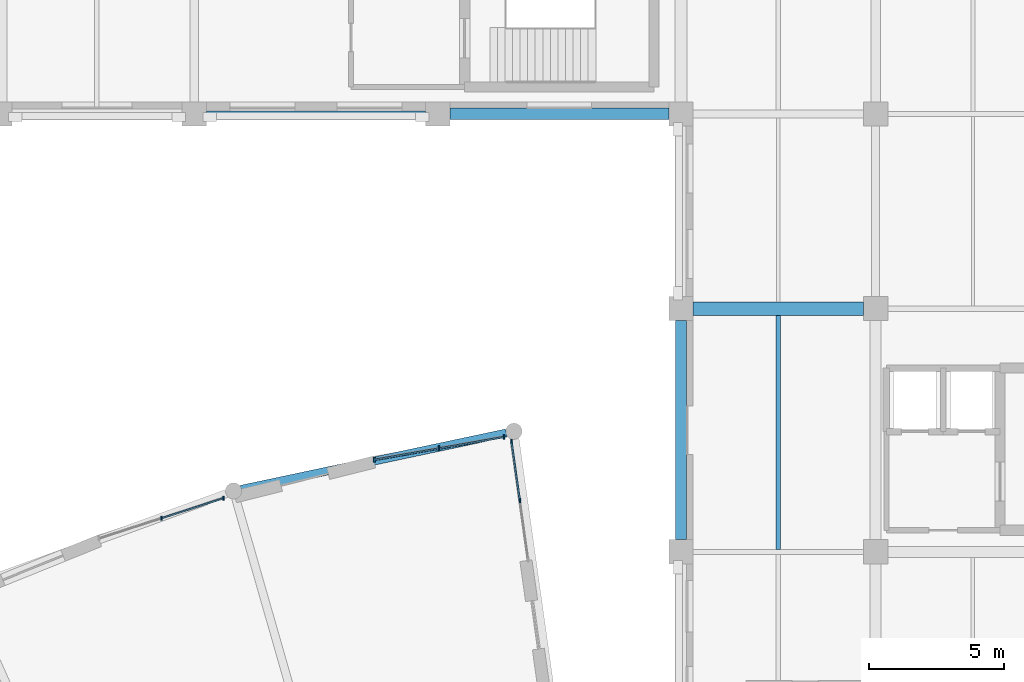
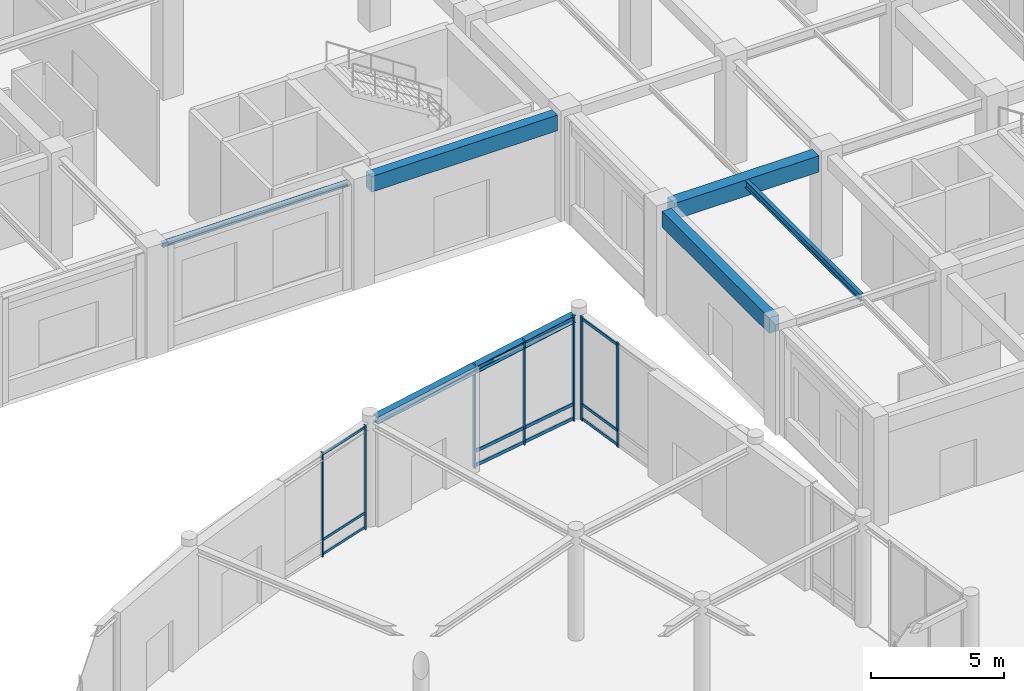
# One storey, part 36 of 64: 19 members, 6 beams, 3 elements without a shape of their own.
"""IFC4 building model written with IfcOpenShell, lengths in metres."""

from ifc_helpers import new_model, si_unit, direction, frame, origin, origin_2d, place, context, subcontext, project, spatial, rectangle, i_section, extrude, material, material_profile, profile_set, type_object, element, aggregate, save


model = new_model("IFC4")

# Units and contexts
model_context = context("Model", 3, precision=1e-05, world=origin(), true_north=direction((0.0, 1.0)))
body_context = subcontext(model_context, "Body", "Model", "MODEL_VIEW")
ifc_project = project(units=[si_unit("LENGTHUNIT", "METRE"), si_unit("AREAUNIT", "SQUARE_METRE"), si_unit("VOLUMEUNIT", "CUBIC_METRE"), si_unit("PLANEANGLEUNIT", "RADIAN"), si_unit("MASSUNIT", "GRAM", prefix="KILO")], contexts=[model_context])

# Site, building, storey
site_placement = place(None, origin())
site = spatial("IfcSite", under=ifc_project, at=site_placement, CompositionType="ELEMENT")
building_placement = place(site_placement, origin())
building = spatial("IfcBuilding", under=site, at=building_placement, Name="Clarverna Civic Hall", CompositionType="ELEMENT")
storey_placement = place(building_placement, origin())
storey = spatial("IfcBuildingStorey", under=building, at=storey_placement, Name="L00", CompositionType="ELEMENT", Elevation=0.0)

# Beams
ifc_material_1 = material(Name="Steel S355", Category="steel")
ifc_material_profile_1 = material_profile(ifc_material_1, i_section(OverallWidth=0.199951171875, OverallDepth=0.18994140625, WebThickness=0.006591796875, FlangeThickness=0.010009765625, FilletRadius=0.01806640625, at=origin_2d()), Name="HEA 200")
ifc_profile_set_1 = profile_set([ifc_material_profile_1], Name="Steel S355")
beam_type_1 = type_object("IfcBeamType", Name="B-LN2", PredefinedType="LINTEL", material=ifc_profile_set_1)
beam_1_placement = place(storey_placement, frame((130.050048828125, 95.0, 4.68505859375), z_axis=(1.0, 0.0, 0.0), x_axis=(0.0, 1.0, 0.0)))
element("IfcBeam", 1, at=beam_1_placement, inside=storey, type_object=beam_type_1, Name="B-LN2-008", PredefinedType="LINTEL", context=body_context, shape_type="SweptSolid", body=[
    extrude(i_section(OverallWidth=0.199951171875, OverallDepth=0.18994140625, WebThickness=0.006591796875, FlangeThickness=0.010009765625, FilletRadius=0.01806640625, at=origin_2d()), origin(), (0.0, 0.0, 1.0), 8.099853515625),
])
ifc_material_2 = material(Name="Concrete C35/45", Category="concrete")
ifc_material_profile_2 = material_profile(ifc_material_2, rectangle(XDim=0.5, YDim=0.75, at=origin_2d()), Name="RC 500x750")
ifc_profile_set_2 = profile_set([ifc_material_profile_2], Name="Concrete C35/45")
beam_type_2 = type_object("IfcBeamType", Name="B-RC15", PredefinedType="BEAM", material=ifc_profile_set_2)
beam_2_placement = place(storey_placement, frame((148.050048828125, 87.800048828125, 4.405029296875), z_axis=(1.0, 0.0, 0.0), x_axis=(0.0, 1.0, 0.0)))
element("IfcBeam", 2, at=beam_2_placement, inside=storey, type_object=beam_type_2, Name="B-RC15-020", PredefinedType="BEAM", context=body_context, shape_type="SweptSolid", body=[
    extrude(rectangle(XDim=0.5, YDim=0.75, at=origin_2d()), origin(), (0.0, 0.0, 1.0), 6.300048828125),
])
ifc_material_profile_3 = material_profile(ifc_material_2, rectangle(XDim=0.419921875, YDim=0.719970703125, at=origin_2d()), Name="RC 420x720")
ifc_profile_set_3 = profile_set([ifc_material_profile_3], Name="Concrete C35/45")
beam_type_3 = type_object("IfcBeamType", Name="B-SP1", PredefinedType="SPANDREL", material=ifc_profile_set_3)
beam_3_placement = place(storey_placement, frame((139.050048828125, 95.0, 4.419921875), z_axis=(1.0, 0.0, 0.0), x_axis=(0.0, 1.0, 0.0)))
element("IfcBeam", 3, at=beam_3_placement, inside=storey, type_object=beam_type_3, Name="B-SP1-040", PredefinedType="SPANDREL", context=body_context, shape_type="SweptSolid", body=[
    extrude(rectangle(XDim=0.419921875, YDim=0.719970703125, at=origin_2d()), origin(), (0.0, 0.0, 1.0), 8.099853515625),
])
beam_4_placement = place(storey_placement, frame((147.60009765625, 79.25, 4.419921875), z_axis=(0.0, 1.0, 0.0), x_axis=(-1.0, 0.0, 0.0)))
element("IfcBeam", 4, at=beam_4_placement, inside=storey, type_object=beam_type_3, Name="B-SP1-055", PredefinedType="SPANDREL", context=body_context, shape_type="SweptSolid", body=[
    extrude(rectangle(XDim=0.419921875, YDim=0.719970703125, at=origin_2d()), origin(), (0.0, 0.0, 1.0), 8.10009765625),
])
ifc_material_profile_4 = material_profile(ifc_material_1, i_section(OverallWidth=0.300048828125, OverallDepth=0.330078125, WebThickness=0.009521484375, FlangeThickness=0.0166015625, FilletRadius=0.027099609375, at=origin_2d()), Name="HEA 340")
ifc_profile_set_4 = profile_set([ifc_material_profile_4], Name="Steel S355")
beam_type_4 = type_object("IfcBeamType", Name="B-ST8", PredefinedType="BEAM", material=ifc_profile_set_4)
beam_5_placement = place(storey_placement, frame((141.14404296875, 83.201171875, 4.614990234375), z_axis=(-0.978148274299, -0.20790852192, 0.0), x_axis=(0.20790852192, -0.978148274299, 0.0)))
element("IfcBeam", 5, at=beam_5_placement, inside=storey, type_object=beam_type_4, Name="B-ST8-047", PredefinedType="BEAM", context=body_context, shape_type="SweptSolid", body=[
    extrude(i_section(OverallWidth=0.300048828125, OverallDepth=0.330078125, WebThickness=0.009521484375, FlangeThickness=0.0166015625, FilletRadius=0.027099609375, at=origin_2d()), origin(), (0.0, 0.0, 1.0), 10.032958984375),
])

# Curtain wall, members
ifc_material_3 = material(Name="Anodised Bronze Architectural Aluminium", Category="aluminium")
curtain_wall_type = type_object("IfcCurtainWallType", Name="CW-03", PredefinedType="USERDEFINED", material=ifc_material_3)
curtain_wall_1_placement = place(storey_placement, origin())
curtain_wall_1 = element("IfcCurtainWall", 6, at=curtain_wall_1_placement, inside=storey, type_object=curtain_wall_type, Name="CW-03-004", ObjectType="UNITISED CURTAIN WALL", PredefinedType="USERDEFINED")
ifc_material_profile_5 = material_profile(ifc_material_3, rectangle(XDim=0.06005859375, YDim=0.179931640625, at=origin_2d()), Name="BRONZE 60x180")
ifc_profile_set_5 = profile_set([ifc_material_profile_5], Name="Anodised Bronze Architectural Aluminium")
member_type_1 = type_object("IfcMemberType", Name="CWM-01", PredefinedType="MULLION", material=ifc_profile_set_5)
member_1_placement = place(storey_placement, frame((136.255615234375, 82.20703125, 0.0), z_axis=(0.0, 0.0, 1.0), x_axis=(1.0, 0.0, 0.0)))
member_1 = element("IfcMember", 7, at=member_1_placement, type_object=member_type_1, Name="CWM-01-004", PredefinedType="MULLION", context=body_context, shape_type="SweptSolid", body=[
    extrude(rectangle(XDim=0.06005859375, YDim=0.179931640625, at=origin_2d()), origin(), (0.0, 0.0, 1.0), 4.780029296875),
])
member_2_placement = place(storey_placement, frame((138.65283203125, 82.6298828125, 0.0), z_axis=(0.0, 0.0, 1.0), x_axis=(1.0, 0.0, 0.0)))
member_2 = element("IfcMember", 8, at=member_2_placement, type_object=member_type_1, Name="CWM-01-005", PredefinedType="MULLION", context=body_context, shape_type="SweptSolid", body=[
    extrude(rectangle(XDim=0.06005859375, YDim=0.179931640625, at=origin_2d()), origin(), (0.0, 0.0, 1.0), 4.780029296875),
])
member_3_placement = place(storey_placement, frame((141.05029296875, 83.052490234375, 0.0), z_axis=(0.0, 0.0, 1.0), x_axis=(1.0, 0.0, 0.0)))
member_3 = element("IfcMember", 9, at=member_3_placement, type_object=member_type_1, Name="CWM-01-006", PredefinedType="MULLION", context=body_context, shape_type="SweptSolid", body=[
    extrude(rectangle(XDim=0.06005859375, YDim=0.179931640625, at=origin_2d()), origin(), (0.0, 0.0, 1.0), 4.780029296875),
])

curtain_wall_2_placement = place(storey_placement, origin())
curtain_wall_2 = element("IfcCurtainWall", 10, at=curtain_wall_2_placement, inside=storey, type_object=curtain_wall_type, Name="CW-03-005", ObjectType="UNITISED CURTAIN WALL", PredefinedType="USERDEFINED")
ifc_material_profile_6 = material_profile(ifc_material_3, rectangle(XDim=0.06005859375, YDim=0.159912109375, at=origin_2d()), Name="BRONZE 60x160")
ifc_profile_set_6 = profile_set([ifc_material_profile_6], Name="Anodised Bronze Architectural Aluminium")
member_type_2 = type_object("IfcMemberType", Name="CWM-02", PredefinedType="MULLION", material=ifc_profile_set_6)
member_4_placement = place(storey_placement, frame((141.333740234375, 82.8876953125, 0.0), z_axis=(0.0, 0.0, 1.0), x_axis=(1.0, 0.0, 0.0)))
member_4 = element("IfcMember", 11, at=member_4_placement, type_object=member_type_2, Name="CWM-02-004", PredefinedType="MULLION", context=body_context, shape_type="SweptSolid", body=[
    extrude(rectangle(XDim=0.06005859375, YDim=0.159912109375, at=origin_2d()), origin(), (0.0, 0.0, 1.0), 4.780029296875),
])
member_5_placement = place(storey_placement, frame((141.640625, 80.7041015625, 0.0), z_axis=(0.0, 0.0, 1.0), x_axis=(1.0, 0.0, 0.0)))
member_5 = element("IfcMember", 12, at=member_5_placement, type_object=member_type_2, Name="CWM-02-005", PredefinedType="MULLION", context=body_context, shape_type="SweptSolid", body=[
    extrude(rectangle(XDim=0.06005859375, YDim=0.159912109375, at=origin_2d()), origin(), (0.0, 0.0, 1.0), 4.780029296875),
])

curtain_wall_3_placement = place(storey_placement, origin())
curtain_wall_3 = element("IfcCurtainWall", 13, at=curtain_wall_3_placement, inside=storey, type_object=curtain_wall_type, Name="CW-03-003", ObjectType="UNITISED CURTAIN WALL", PredefinedType="USERDEFINED")
ifc_material_profile_7 = material_profile(ifc_material_3, rectangle(XDim=0.054931640625, YDim=0.139892578125, at=origin_2d()), Name="BRONZE 55x140")
ifc_profile_set_7 = profile_set([ifc_material_profile_7], Name="Anodised Bronze Architectural Aluminium")
member_type_3 = type_object("IfcMemberType", Name="CWM-04", PredefinedType="MULLION", material=ifc_profile_set_7)
member_6_placement = place(storey_placement, frame((128.380615234375, 80.041015625, 0.0), z_axis=(0.0, 0.0, 1.0), x_axis=(1.0, 0.0, 0.0)))
member_6 = element("IfcMember", 14, at=member_6_placement, type_object=member_type_3, Name="CWM-04-002", PredefinedType="MULLION", context=body_context, shape_type="SweptSolid", body=[
    extrude(rectangle(XDim=0.054931640625, YDim=0.139892578125, at=origin_2d()), origin(), (0.0, 0.0, 1.0), 4.780029296875),
])
member_7_placement = place(storey_placement, frame((130.68017578125, 80.7880859375, 0.0), z_axis=(0.0, 0.0, 1.0), x_axis=(1.0, 0.0, 0.0)))
member_7 = element("IfcMember", 15, at=member_7_placement, type_object=member_type_3, Name="CWM-04-003", PredefinedType="MULLION", context=body_context, shape_type="SweptSolid", body=[
    extrude(rectangle(XDim=0.054931640625, YDim=0.139892578125, at=origin_2d()), origin(), (0.0, 0.0, 1.0), 4.780029296875),
])

# Member
ifc_material_profile_8 = material_profile(ifc_material_3, rectangle(XDim=0.06005859375, YDim=0.14990234375, at=origin_2d()), Name="BRONZE 60x150")
ifc_profile_set_8 = profile_set([ifc_material_profile_8], Name="Anodised Bronze Architectural Aluminium")
member_type_4 = type_object("IfcMemberType", Name="CWT-01", PredefinedType="USERDEFINED", material=ifc_profile_set_8)
member_8_placement = place(storey_placement, frame((136.270263671875, 82.209716796875, 0.094970703125), z_axis=(0.984811145489, 0.173628936879, 0.0), x_axis=(-0.173628936879, 0.984811145489, 0.0)))
member_8 = element("IfcMember", 16, at=member_8_placement, type_object=member_type_4, Name="CWT-01-007", ObjectType="TRANSOM", PredefinedType="USERDEFINED", context=body_context, shape_type="SweptSolid", body=[
    extrude(rectangle(XDim=0.06005859375, YDim=0.14990234375, at=origin_2d()), origin(), (0.0, 0.0, 1.0), 2.404541015625),
])

member_9_placement = place(storey_placement, frame((136.270263671875, 82.209716796875, 0.75), z_axis=(0.984811145489, 0.173628936879, 0.0), x_axis=(-0.173628936879, 0.984811145489, 0.0)))
member_9 = element("IfcMember", 17, at=member_9_placement, type_object=member_type_4, Name="CWT-01-008", ObjectType="TRANSOM", PredefinedType="USERDEFINED", context=body_context, shape_type="SweptSolid", body=[
    extrude(rectangle(XDim=0.06005859375, YDim=0.14990234375, at=origin_2d()), origin(), (0.0, 0.0, 1.0), 2.404541015625),
])

member_10_placement = place(storey_placement, frame((136.270263671875, 82.209716796875, 4.68505859375), z_axis=(0.984811145489, 0.173628936879, 0.0), x_axis=(-0.173628936879, 0.984811145489, 0.0)))
member_10 = element("IfcMember", 18, at=member_10_placement, type_object=member_type_4, Name="CWT-01-009", ObjectType="TRANSOM", PredefinedType="USERDEFINED", context=body_context, shape_type="SweptSolid", body=[
    extrude(rectangle(XDim=0.06005859375, YDim=0.14990234375, at=origin_2d()), origin(), (0.0, 0.0, 1.0), 2.404541015625),
])

member_11_placement = place(storey_placement, frame((138.667724609375, 82.63232421875, 0.094970703125), z_axis=(0.984790713892, 0.173744783612, 0.0), x_axis=(-0.173744783612, 0.984790713892, 0.0)))
member_11 = element("IfcMember", 19, at=member_11_placement, type_object=member_type_4, Name="CWT-01-010", ObjectType="TRANSOM", PredefinedType="USERDEFINED", context=body_context, shape_type="SweptSolid", body=[
    extrude(rectangle(XDim=0.06005859375, YDim=0.14990234375, at=origin_2d()), origin(), (0.0, 0.0, 1.0), 2.404296875),
])

member_12_placement = place(storey_placement, frame((138.667724609375, 82.63232421875, 0.75), z_axis=(0.984790713892, 0.173744783612, 0.0), x_axis=(-0.173744783612, 0.984790713892, 0.0)))
member_12 = element("IfcMember", 20, at=member_12_placement, type_object=member_type_4, Name="CWT-01-011", ObjectType="TRANSOM", PredefinedType="USERDEFINED", context=body_context, shape_type="SweptSolid", body=[
    extrude(rectangle(XDim=0.06005859375, YDim=0.14990234375, at=origin_2d()), origin(), (0.0, 0.0, 1.0), 2.404296875),
])

member_13_placement = place(storey_placement, frame((138.667724609375, 82.63232421875, 4.68505859375), z_axis=(0.984790713892, 0.173744783612, 0.0), x_axis=(-0.173744783612, 0.984790713892, 0.0)))
member_13 = element("IfcMember", 21, at=member_13_placement, type_object=member_type_4, Name="CWT-01-012", ObjectType="TRANSOM", PredefinedType="USERDEFINED", context=body_context, shape_type="SweptSolid", body=[
    extrude(rectangle(XDim=0.06005859375, YDim=0.14990234375, at=origin_2d()), origin(), (0.0, 0.0, 1.0), 2.404296875),
])

aggregate(curtain_wall_1, [member_1, member_2, member_3, member_8, member_9, member_10, member_11, member_12, member_13])

ifc_material_profile_9 = material_profile(ifc_material_3, rectangle(XDim=0.06005859375, YDim=0.1298828125, at=origin_2d()), Name="BRONZE 60x130")
ifc_profile_set_9 = profile_set([ifc_material_profile_9], Name="Anodised Bronze Architectural Aluminium")
member_type_5 = type_object("IfcMemberType", Name="CWT-02", PredefinedType="USERDEFINED", material=ifc_profile_set_9)
member_14_placement = place(storey_placement, frame((141.3359375, 82.872802734375, 0.094970703125), z_axis=(0.139189475345, -0.990265767334, 0.0), x_axis=(0.990265767334, 0.139189475345, 0.0)))
member_14 = element("IfcMember", 22, at=member_14_placement, type_object=member_type_5, Name="CWT-02-007", ObjectType="TRANSOM", PredefinedType="USERDEFINED", context=body_context, shape_type="SweptSolid", body=[
    extrude(rectangle(XDim=0.06005859375, YDim=0.1298828125, at=origin_2d()), origin(), (0.0, 0.0, 1.0), 2.175048828125),
])

member_15_placement = place(storey_placement, frame((141.3359375, 82.872802734375, 0.75), z_axis=(0.139189475345, -0.990265767334, 0.0), x_axis=(0.990265767334, 0.139189475345, 0.0)))
member_15 = element("IfcMember", 23, at=member_15_placement, type_object=member_type_5, Name="CWT-02-008", ObjectType="TRANSOM", PredefinedType="USERDEFINED", context=body_context, shape_type="SweptSolid", body=[
    extrude(rectangle(XDim=0.06005859375, YDim=0.1298828125, at=origin_2d()), origin(), (0.0, 0.0, 1.0), 2.175048828125),
])

member_16_placement = place(storey_placement, frame((141.3359375, 82.872802734375, 4.68505859375), z_axis=(0.139189475345, -0.990265767334, 0.0), x_axis=(0.990265767334, 0.139189475345, 0.0)))
member_16 = element("IfcMember", 24, at=member_16_placement, type_object=member_type_5, Name="CWT-02-009", ObjectType="TRANSOM", PredefinedType="USERDEFINED", context=body_context, shape_type="SweptSolid", body=[
    extrude(rectangle(XDim=0.06005859375, YDim=0.1298828125, at=origin_2d()), origin(), (0.0, 0.0, 1.0), 2.175048828125),
])

aggregate(curtain_wall_2, [member_4, member_5, member_14, member_15, member_16])

ifc_material_profile_10 = material_profile(ifc_material_3, rectangle(XDim=0.054931640625, YDim=0.110107421875, at=origin_2d()), Name="BRONZE 55x110")
ifc_profile_set_10 = profile_set([ifc_material_profile_10], Name="Anodised Bronze Architectural Aluminium")
member_type_6 = type_object("IfcMemberType", Name="CWT-04", PredefinedType="USERDEFINED", material=ifc_profile_set_10)
member_17_placement = place(storey_placement, frame((128.39501953125, 80.04541015625, 0.094970703125), z_axis=(0.951038576678, 0.309072201387, 0.0), x_axis=(-0.309072201387, 0.951038576678, 0.0)))
member_17 = element("IfcMember", 25, at=member_17_placement, type_object=member_type_6, Name="CWT-04-004", ObjectType="TRANSOM", PredefinedType="USERDEFINED", context=body_context, shape_type="SweptSolid", body=[
    extrude(rectangle(XDim=0.054931640625, YDim=0.110107421875, at=origin_2d()), origin(), (0.0, 0.0, 1.0), 2.387939453125),
])

member_18_placement = place(storey_placement, frame((128.39501953125, 80.04541015625, 0.75), z_axis=(0.951038576678, 0.309072201387, 0.0), x_axis=(-0.309072201387, 0.951038576678, 0.0)))
member_18 = element("IfcMember", 26, at=member_18_placement, type_object=member_type_6, Name="CWT-04-005", ObjectType="TRANSOM", PredefinedType="USERDEFINED", context=body_context, shape_type="SweptSolid", body=[
    extrude(rectangle(XDim=0.054931640625, YDim=0.110107421875, at=origin_2d()), origin(), (0.0, 0.0, 1.0), 2.387939453125),
])

member_19_placement = place(storey_placement, frame((128.39501953125, 80.04541015625, 4.68505859375), z_axis=(0.951038576678, 0.309072201387, 0.0), x_axis=(-0.309072201387, 0.951038576678, 0.0)))
member_19 = element("IfcMember", 27, at=member_19_placement, type_object=member_type_6, Name="CWT-04-006", ObjectType="TRANSOM", PredefinedType="USERDEFINED", context=body_context, shape_type="SweptSolid", body=[
    extrude(rectangle(XDim=0.054931640625, YDim=0.110107421875, at=origin_2d()), origin(), (0.0, 0.0, 1.0), 2.387939453125),
])

aggregate(curtain_wall_3, [member_6, member_7, member_17, member_18, member_19])

# Beam
ifc_material_profile_11 = material_profile(ifc_material_1, i_section(OverallWidth=0.159912109375, OverallDepth=0.330078125, WebThickness=0.007568359375, FlangeThickness=0.011474609375, FilletRadius=0.01806640625, at=origin_2d()), Name="IPE 330")
ifc_profile_set_11 = profile_set([ifc_material_profile_11], Name="Steel S355")
beam_type_5 = type_object("IfcBeamType", Name="J-ST2", PredefinedType="JOIST", material=ifc_profile_set_11)
beam_6_placement = place(storey_placement, frame((151.199951171875, 78.889892578125, 4.614990234375), z_axis=(0.0, 1.0, 0.0), x_axis=(-1.0, 0.0, 0.0)))
element("IfcBeam", 28, at=beam_6_placement, inside=storey, type_object=beam_type_5, Name="J-ST2-029", PredefinedType="JOIST", context=body_context, shape_type="SweptSolid", body=[
    extrude(i_section(OverallWidth=0.159912109375, OverallDepth=0.330078125, WebThickness=0.007568359375, FlangeThickness=0.011474609375, FilletRadius=0.01806640625, at=origin_2d()), origin(), (0.0, 0.0, 1.0), 8.66015625),
])

save(model, "model.ifc")
